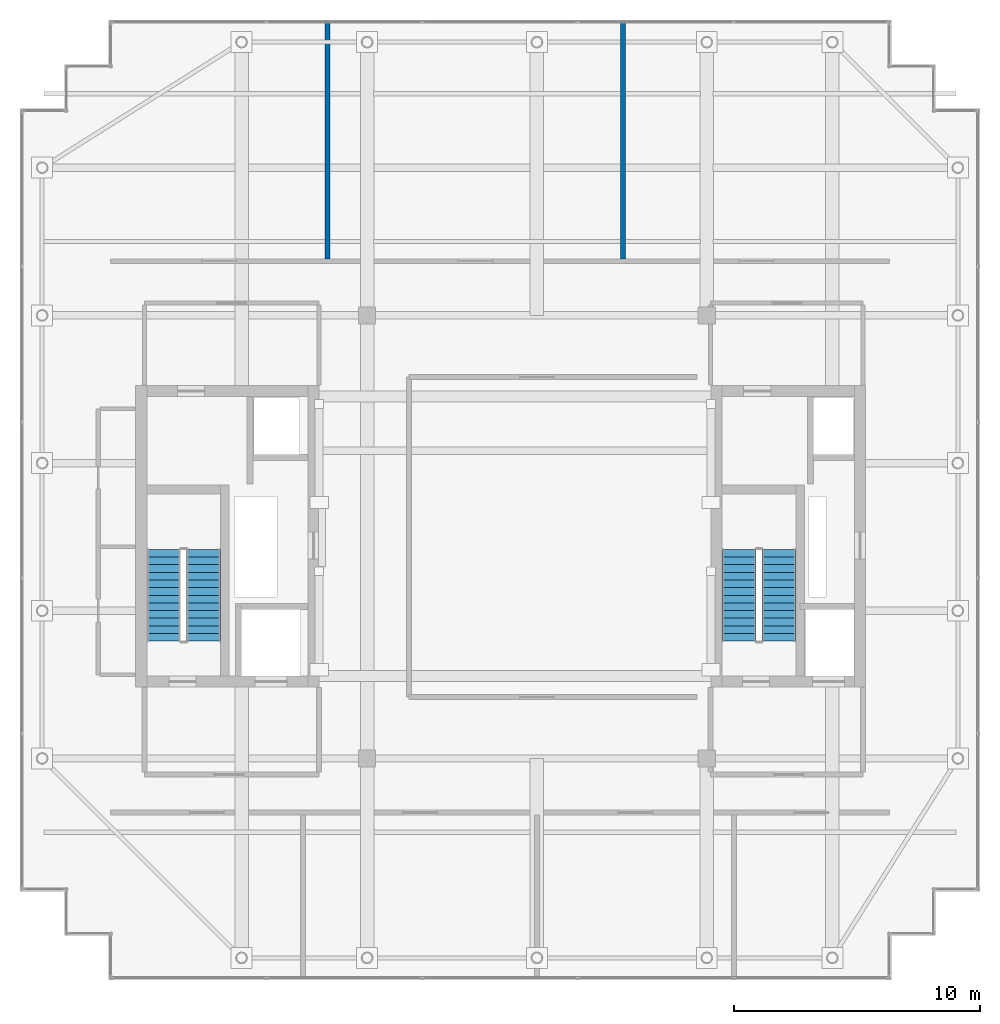
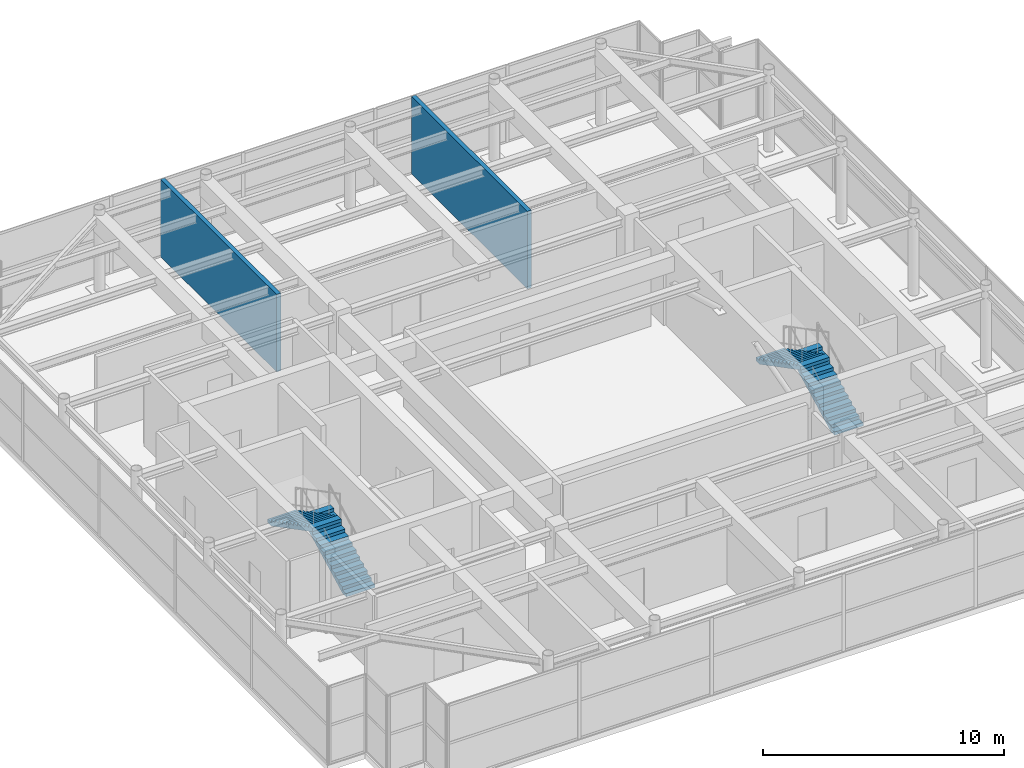
# One storey, part 31 of 32: 4 stair flights, 2 walls, 2 elements without a shape of their own.
"""IFC4 building model written with IfcOpenShell, lengths in metres."""

from ifc_helpers import new_model, si_unit, direction, frame, frame_2d, origin, place, context, subcontext, project, spatial, polyline, rectangle, outline, extrude, source, transform, mapped, material, layer, layer_set, type_object, element, aggregate, save


model = new_model("IFC4")

# Units and contexts
model_context = context("Model", 3, precision=1e-05, world=origin(), true_north=direction((0.0, 1.0)))
body_context = subcontext(model_context, "Body", "Model", "MODEL_VIEW")
ifc_project = project(units=[si_unit("LENGTHUNIT", "METRE"), si_unit("AREAUNIT", "SQUARE_METRE"), si_unit("VOLUMEUNIT", "CUBIC_METRE"), si_unit("PLANEANGLEUNIT", "RADIAN"), si_unit("MASSUNIT", "GRAM", prefix="KILO")], contexts=[model_context])

# Site, building, storey
site_placement = place(None, origin())
site = spatial("IfcSite", under=ifc_project, at=site_placement, CompositionType="ELEMENT")
building_placement = place(site_placement, origin())
building = spatial("IfcBuilding", under=site, at=building_placement, Name="Khoralis Quay Care Tower", CompositionType="ELEMENT")
storey_placement = place(building_placement, frame((0.0, 0.0, 293.699951171875)))
storey = spatial("IfcBuildingStorey", under=building, at=storey_placement, Name="L77", CompositionType="ELEMENT", Elevation=293.699951171875)

# Walls
ifc_material_1 = material(Name="Gypsum plasterboard on acoustic metal stud")
ifc_layer = layer(ifc_material_1, 0.199951171875)
ifc_layer_set = layer_set([ifc_layer], Name="Gypsum plasterboard on acoustic metal stud")
wall_type = type_object("IfcWallType", Name="WL-COMP-200", PredefinedType="PARTITIONING", material=ifc_layer_set)
for number, where, z_axis, x_axis, name in (
    (1, (15.5, 32.294921875, 0.0), (0.0, 0.0, 1.0), (0.0, 1.0, 0.0), "L77 North Plant Divider 1"),
    (2, (27.5, 32.294921875, 0.0), (0.0, 0.0, 1.0), (0.0, 1.0, 0.0), "L77 North Plant Divider 2"),
):
    element("IfcWall", number, at=place(storey_placement, frame(where, z_axis=z_axis, x_axis=x_axis)), inside=storey, type_object=wall_type, Name=name, PredefinedType="PARTITIONING", context=body_context, shape_type="SweptSolid", body=[
        extrude(rectangle(XDim=9.6201171875, YDim=0.199951171875, at=frame_2d((4.81005859375, 0.0))), origin(), (0.0, 0.0, 1.0), 3.920166015625),
    ])

# Stair, stair flights
ifc_material_2 = material(Name="Precast concrete C45/55", Category="concrete")
stair_type = type_object("IfcStairType", Name="ST-TWR-DOGLEG-1400", PredefinedType="HALF_TURN_STAIR", material=ifc_material_2)
stair_1_placement = place(storey_placement, origin())
stair_1 = element("IfcStair", 3, at=stair_1_placement, inside=storey, type_object=stair_type, Name="L77 West Core Exit Stair ST-T1", PredefinedType="HALF_TURN_STAIR")
stair_flight_type = type_object("IfcStairFlightType", Name="SF-TWR-1400", PredefinedType="STRAIGHT", material=ifc_material_2)
shared_shape = source(origin(), body_context, "Body", "SweptSolid", [
    extrude(outline(polyline([(0.0, 0.0), (0.0, 0.16162109375), (0.31005859375, 0.16162109375), (0.31005859375, 0.322998046875), (0.6201171875, 0.322998046875), (0.6201171875, 0.484619140625), (0.929931640625, 0.484619140625), (0.929931640625, 0.646240234375), (1.239990234375, 0.646240234375), (1.239990234375, 0.8076171875), (1.550048828125, 0.8076171875), (1.550048828125, 0.96923828125), (1.860107421875, 0.96923828125), (1.860107421875, 1.130859375), (2.169921875, 1.130859375), (2.169921875, 1.292236328125), (2.47998046875, 1.292236328125), (2.47998046875, 1.453857421875), (2.7900390625, 1.453857421875), (2.7900390625, 1.615478515625), (3.10009765625, 1.615478515625), (3.10009765625, 1.77685546875), (3.409912109375, 1.77685546875), (3.409912109375, 1.9384765625), (3.719970703125, 1.9384765625), (3.719970703125, 2.10009765625), (3.719970703125, 1.76953125), (0.324462890625, 0.0), (0.0, 0.0)])), frame((0.0, 0.68994140625, 0.0), z_axis=(0.0, -1.0, 0.0), x_axis=(1.0, 0.0, 0.0)), (0.0, 0.0, 1.0), 1.3798828125),
])
stair_flight_1_placement = place(storey_placement, frame((10.4599609375, 16.77001953125, 0.0), z_axis=(0.0, 0.0, 1.0), x_axis=(0.0, 1.0, 0.0)))
stair_flight_1 = element("IfcStairFlight", 4, at=stair_flight_1_placement, type_object=stair_flight_type, Name="ST-T1 flight 1", NumberOfRisers=13, NumberOfTreads=12, PredefinedType="STRAIGHT", RiserHeight=0.161538462, TreadLength=0.31, context=body_context, shape_type="MappedRepresentation", body=[
    mapped(shared_shape, transform((0.0, 0.0, 0.0), scale=1.0)),
])
stair_flight_2_placement = place(storey_placement, frame((8.840087890625, 20.489990234375, 2.10009765625), z_axis=(0.0, 0.0, 1.0), x_axis=(0.0, -1.0, 0.0)))
stair_flight_2 = element("IfcStairFlight", 5, at=stair_flight_2_placement, type_object=stair_flight_type, Name="ST-T1 flight 2", NumberOfRisers=13, NumberOfTreads=12, PredefinedType="STRAIGHT", RiserHeight=0.161538462, TreadLength=0.31, context=body_context, shape_type="MappedRepresentation", body=[
    mapped(shared_shape, transform((0.0, 0.0, 0.0), scale=1.0)),
])
aggregate(stair_1, [stair_flight_1, stair_flight_2])

stair_2_placement = place(storey_placement, origin())
stair_2 = element("IfcStair", 6, at=stair_2_placement, inside=storey, type_object=stair_type, Name="L77 East Core Exit Stair ST-T2", PredefinedType="HALF_TURN_STAIR")
stair_flight_3_placement = place(storey_placement, frame((33.830078125, 16.77001953125, 0.0), z_axis=(0.0, 0.0, 1.0), x_axis=(0.0, 1.0, 0.0)))
stair_flight_3 = element("IfcStairFlight", 7, at=stair_flight_3_placement, type_object=stair_flight_type, Name="ST-T2 flight 1", NumberOfRisers=13, NumberOfTreads=12, PredefinedType="STRAIGHT", RiserHeight=0.161538462, TreadLength=0.31, context=body_context, shape_type="MappedRepresentation", body=[
    mapped(shared_shape, transform((0.0, 0.0, 0.0), scale=1.0)),
])
stair_flight_4_placement = place(storey_placement, frame((32.2099609375, 20.489990234375, 2.10009765625), z_axis=(0.0, 0.0, 1.0), x_axis=(0.0, -1.0, 0.0)))
stair_flight_4 = element("IfcStairFlight", 8, at=stair_flight_4_placement, type_object=stair_flight_type, Name="ST-T2 flight 2", NumberOfRisers=13, NumberOfTreads=12, PredefinedType="STRAIGHT", RiserHeight=0.161538462, TreadLength=0.31, context=body_context, shape_type="MappedRepresentation", body=[
    mapped(shared_shape, transform((0.0, 0.0, 0.0), scale=1.0)),
])
aggregate(stair_2, [stair_flight_3, stair_flight_4])

save(model, "model.ifc")
